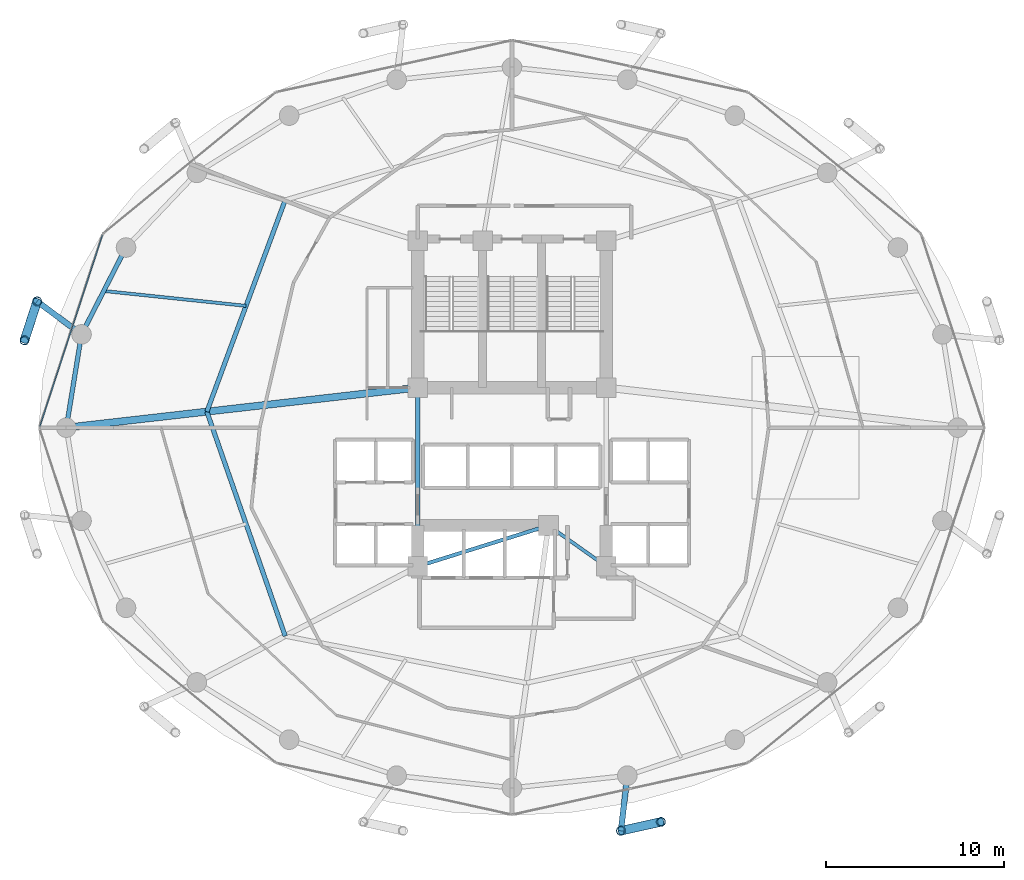
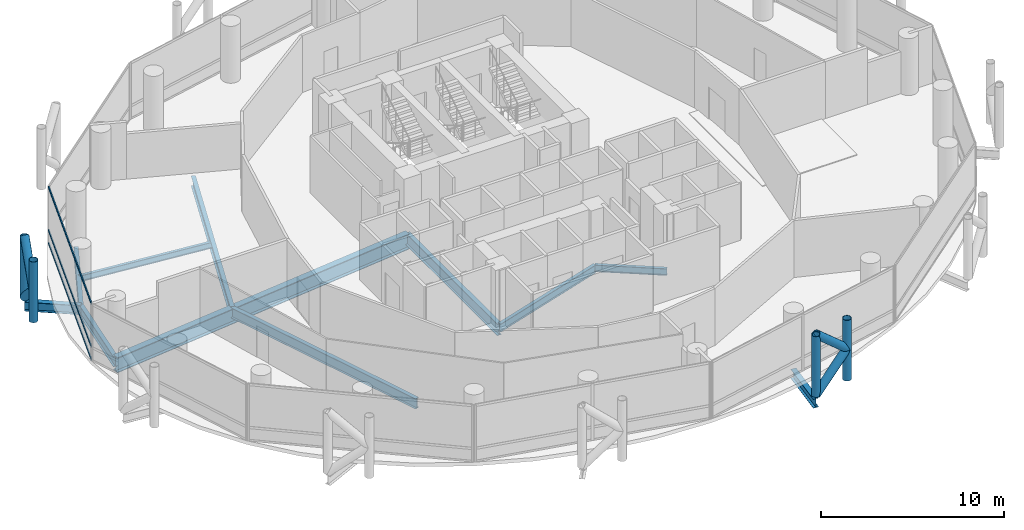
# One storey, part 7 of 24: 11 beams, 11 members, 1 element without a shape of its own.
"""IFC4 building model written with IfcOpenShell, lengths in metres."""

from ifc_helpers import new_model, si_unit, direction, frame, origin, origin_2d, place, context, subcontext, project, spatial, hollow_rectangle, hollow_circle, i_section, extrude, material, layer, layer_set, material_profile, profile_set, type_object, element, aggregate, save


model = new_model("IFC4")

# Units and contexts
model_context = context("Model", 3, precision=1e-05, world=origin(), true_north=direction((0.0, 1.0)))
body_context = subcontext(model_context, "Body", "Model", "MODEL_VIEW")
ifc_project = project(units=[si_unit("LENGTHUNIT", "METRE"), si_unit("AREAUNIT", "SQUARE_METRE"), si_unit("VOLUMEUNIT", "CUBIC_METRE"), si_unit("PLANEANGLEUNIT", "RADIAN"), si_unit("MASSUNIT", "GRAM", prefix="KILO")], contexts=[model_context])

# Site, building, storey
site_placement = place(None, origin())
site = spatial("IfcSite", under=ifc_project, at=site_placement, CompositionType="ELEMENT")
building_placement = place(site_placement, origin())
building = spatial("IfcBuilding", under=site, at=building_placement, Name="Nuhasar Tower", CompositionType="ELEMENT")
storey_placement = place(building_placement, frame((0.0, 0.0, 69.60009765625)))
storey = spatial("IfcBuildingStorey", under=building, at=storey_placement, Name="L16", CompositionType="ELEMENT", Elevation=69.60009765625)

# Beams
ifc_material_1 = material(Name="Steel S355", Category="steel")
ifc_material_profile_1 = material_profile(ifc_material_1, i_section(OverallWidth=0.25390625, OverallDepth=0.68408203125, WebThickness=0.012451171875, FlangeThickness=0.018798828125, at=origin_2d()), Name="W27X94")
ifc_profile_set_1 = profile_set([ifc_material_profile_1], Name="Steel S355")
beam_type_1 = type_object("IfcBeamType", Name="BM-INRING-W27X94", PredefinedType="BEAM", material=ifc_profile_set_1)
beam_1_placement = place(storey_placement, frame((26.251953125, 39.591064453125, -0.592041015625), z_axis=(-0.34715757476, -0.937806812881, 0.0), x_axis=(0.937806812881, -0.34715757476, 0.0)))
element("IfcBeam", 1, at=beam_1_placement, inside=storey, type_object=beam_type_1, Name="L16 Inner Header Beam 07", PredefinedType="BEAM", context=body_context, shape_type="SweptSolid", body=[
    extrude(i_section(OverallWidth=0.25390625, OverallDepth=0.68408203125, WebThickness=0.012451171875, FlangeThickness=0.018798828125, at=origin_2d()), origin(), (0.0, 0.0, 1.0), 12.6796875),
])
beam_2_placement = place(storey_placement, frame((21.85009765625, 27.699951171875, -0.592041015625), z_axis=(0.329554049858, -0.944136710558, 0.0), x_axis=(0.944136710558, 0.329554049858, 0.0)))
element("IfcBeam", 2, at=beam_2_placement, inside=storey, type_object=beam_type_1, Name="L16 Inner Header Beam 08", PredefinedType="BEAM", context=body_context, shape_type="SweptSolid", body=[
    extrude(i_section(OverallWidth=0.25390625, OverallDepth=0.68408203125, WebThickness=0.012451171875, FlangeThickness=0.018798828125, at=origin_2d()), origin(), (0.0, 0.0, 1.0), 13.35693359375),
])
ifc_material_profile_2 = material_profile(ifc_material_1, i_section(OverallWidth=0.177978515625, OverallDepth=0.406005859375, WebThickness=0.0078125, FlangeThickness=0.0126953125, at=origin_2d()), Name="W16X40")
ifc_profile_set_2 = profile_set([ifc_material_profile_2], Name="Steel S355")
beam_type_2 = type_object("IfcBeamType", Name="BM-JST-W16X40", PredefinedType="JOIST", material=ifc_profile_set_2)
beam_3_placement = place(storey_placement, frame((24.051025390625, 33.64501953125, -0.453125), z_axis=(-0.994554594377, 0.104216883485, 0.0), x_axis=(-0.104216883485, -0.994554594377, 0.0)))
element("IfcBeam", 3, at=beam_3_placement, inside=storey, type_object=beam_type_2, Name="L16 Secondary Floor Joist 07", PredefinedType="JOIST", context=body_context, shape_type="SweptSolid", body=[
    extrude(i_section(OverallWidth=0.177978515625, OverallDepth=0.406005859375, WebThickness=0.0078125, FlangeThickness=0.0126953125, at=origin_2d()), origin(), (0.0, 0.0, 1.0), 8.039794921875),
])
ifc_material_profile_3 = material_profile(ifc_material_1, i_section(OverallWidth=0.18994140625, OverallDepth=0.45703125, WebThickness=0.009033203125, FlangeThickness=0.014404296875, at=origin_2d()), Name="W18X50")
ifc_profile_set_3 = profile_set([ifc_material_profile_3], Name="Steel S355")
beam_type_3 = type_object("IfcBeamType", Name="BM-RAD-W18X50", PredefinedType="BEAM", material=ifc_profile_set_3)
beam_4_placement = place(storey_placement, frame((41.050048828125, 21.300048828125, -0.47900390625), z_axis=(0.816265428953, -0.577677028708, 0.0), x_axis=(0.577677028708, 0.816265428953, 0.0)))
element("IfcBeam", 4, at=beam_4_placement, inside=storey, type_object=beam_type_3, Name="L16 Core Ring Girder 2", PredefinedType="BEAM", context=body_context, shape_type="SweptSolid", body=[
    extrude(i_section(OverallWidth=0.18994140625, OverallDepth=0.45703125, WebThickness=0.009033203125, FlangeThickness=0.014404296875, at=origin_2d()), origin(), (0.0, 0.0, 1.0), 3.9814453125),
])
ifc_material_profile_4 = material_profile(ifc_material_1, i_section(OverallWidth=0.208984375, OverallDepth=0.532958984375, WebThickness=0.01025390625, FlangeThickness=0.015625, at=origin_2d()), Name="W21X62")
ifc_profile_set_4 = profile_set([ifc_material_profile_4], Name="Steel S355")
beam_type_4 = type_object("IfcBeamType", Name="BM-RAD-W21X62", PredefinedType="BEAM", material=ifc_profile_set_4)
beam_5_placement = place(storey_placement, frame((33.699951171875, 19.0, -0.51611328125), z_axis=(0.954363709454, 0.298646798205, 0.0), x_axis=(-0.298646798205, 0.954363709454, 0.0)))
element("IfcBeam", 5, at=beam_5_placement, inside=storey, type_object=beam_type_4, Name="L16 Core Ring Girder 1", PredefinedType="BEAM", context=body_context, shape_type="SweptSolid", body=[
    extrude(i_section(OverallWidth=0.208984375, OverallDepth=0.532958984375, WebThickness=0.01025390625, FlangeThickness=0.015625, at=origin_2d()), origin(), (0.0, 0.0, 1.0), 7.70166015625),
])
ifc_material_profile_5 = material_profile(ifc_material_1, i_section(OverallWidth=0.26611328125, OverallDepth=0.779052734375, WebThickness=0.0166015625, FlangeThickness=0.030029296875, at=origin_2d()), Name="W30X148")
ifc_profile_set_5 = profile_set([ifc_material_profile_5], Name="Steel S355")
beam_type_5 = type_object("IfcBeamType", Name="BM-RAD-W30X148", PredefinedType="BEAM", material=ifc_profile_set_5)
beam_6_placement = place(storey_placement, frame((33.699951171875, 29.050048828125, -0.64013671875), z_axis=(0.0, -1.0, 0.0), x_axis=(1.0, 0.0, 0.0)))
element("IfcBeam", 6, at=beam_6_placement, inside=storey, type_object=beam_type_5, Name="L16 Core Ring Girder 8", PredefinedType="BEAM", context=body_context, shape_type="SweptSolid", body=[
    extrude(i_section(OverallWidth=0.26611328125, OverallDepth=0.779052734375, WebThickness=0.0166015625, FlangeThickness=0.030029296875, at=origin_2d()), origin(), (0.0, 0.0, 1.0), 10.050048828125),
])
ifc_material_profile_6 = material_profile(ifc_material_1, i_section(OverallWidth=0.256103515625, OverallDepth=0.693115234375, WebThickness=0.014404296875, FlangeThickness=0.023681640625, at=origin_2d()), Name="W27X114")
ifc_profile_set_6 = profile_set([ifc_material_profile_6], Name="Steel S355")
beam_type_6 = type_object("IfcBeamType", Name="BM-RING-W27X114", PredefinedType="SPANDREL", material=ifc_profile_set_6)
beam_7_placement = place(storey_placement, frame((17.305908203125, 36.925048828125, -0.59716796875), z_axis=(-0.455930023905, -0.890015625314, 0.0), x_axis=(0.890015625314, -0.455930023905, 0.0)))
element("IfcBeam", 7, at=beam_7_placement, inside=storey, type_object=beam_type_6, Name="L16 Perimeter Ring Spandrel 11", PredefinedType="SPANDREL", context=body_context, shape_type="SweptSolid", body=[
    extrude(i_section(OverallWidth=0.256103515625, OverallDepth=0.693115234375, WebThickness=0.014404296875, FlangeThickness=0.023681640625, at=origin_2d()), origin(), (0.0, 0.0, 1.0), 5.487548828125),
])
beam_8_placement = place(storey_placement, frame((14.803955078125, 32.041015625, -0.59716796875), z_axis=(-0.160826635486, -0.986982671235, 0.0), x_axis=(0.986982671235, -0.160826635486, 0.0)))
element("IfcBeam", 8, at=beam_8_placement, inside=storey, type_object=beam_type_6, Name="L16 Perimeter Ring Spandrel 12", PredefinedType="SPANDREL", context=body_context, shape_type="SweptSolid", body=[
    extrude(i_section(OverallWidth=0.256103515625, OverallDepth=0.693115234375, WebThickness=0.014404296875, FlangeThickness=0.023681640625, at=origin_2d()), origin(), (0.0, 0.0, 1.0), 5.31005859375),
])
ifc_material_profile_7 = material_profile(ifc_material_1, i_section(OverallWidth=0.323974609375, OverallDepth=0.611083984375, WebThickness=0.0126953125, FlangeThickness=0.01904296875, at=origin_2d()), Name="W24X104")
ifc_profile_set_7 = profile_set([ifc_material_profile_7], Name="Steel S355")
beam_type_7 = type_object("IfcBeamType", Name="BM-TIE-W24X104", PredefinedType="BEAM", material=ifc_profile_set_7)
beam_9_placement = place(storey_placement, frame((14.803955078125, 32.041015625, -0.55615234375), z_axis=(-0.802151061326, 0.597121155892, 0.0), x_axis=(-0.597121155892, -0.802151061326, 0.0)))
element("IfcBeam", 9, at=beam_9_placement, inside=storey, type_object=beam_type_7, Name="L16 Exoskeleton Node Tie Beam 06", PredefinedType="BEAM", context=body_context, shape_type="SweptSolid", body=[
    extrude(i_section(OverallWidth=0.323974609375, OverallDepth=0.611083984375, WebThickness=0.0126953125, FlangeThickness=0.01904296875, at=origin_2d()), origin(), (0.0, 0.0, 1.0), 3.111328125),
])
beam_10_placement = place(storey_placement, frame((45.48291015625, 7.239990234375, -0.55615234375), z_axis=(-0.115042934281, -0.993360520291, 0.0), x_axis=(0.993360520291, -0.115042934281, 0.0)))
element("IfcBeam", 10, at=beam_10_placement, inside=storey, type_object=beam_type_7, Name="L16 Exoskeleton Node Tie Beam 10", PredefinedType="BEAM", context=body_context, shape_type="SweptSolid", body=[
    extrude(i_section(OverallWidth=0.323974609375, OverallDepth=0.611083984375, WebThickness=0.0126953125, FlangeThickness=0.01904296875, at=origin_2d()), origin(), (0.0, 0.0, 1.0), 3.11962890625),
])
ifc_material_2 = material(Name="Steel S460", Category="steel")
ifc_material_profile_8 = material_profile(ifc_material_2, i_section(OverallWidth=0.40087890625, OverallDepth=1.010009765625, WebThickness=0.023681640625, FlangeThickness=0.0419921875, at=origin_2d()), Name="W40X297")
ifc_profile_set_8 = profile_set([ifc_material_profile_8], Name="Steel S460")
beam_type_8 = type_object("IfcBeamType", Name="BM-XFER-W40X297", PredefinedType="USERDEFINED", material=ifc_profile_set_8)
beam_11_placement = place(storey_placement, frame((33.699951171875, 29.050048828125, -0.755126953125), z_axis=(-0.993573147212, -0.113191877531, 0.0), x_axis=(0.113191877531, -0.993573147212, 0.0)))
element("IfcBeam", 11, at=beam_11_placement, inside=storey, type_object=beam_type_8, Name="L16 Radial Floor Girder 08", ObjectType="GIRDER", PredefinedType="USERDEFINED", context=body_context, shape_type="SweptSolid", body=[
    extrude(i_section(OverallWidth=0.40087890625, OverallDepth=1.010009765625, WebThickness=0.023681640625, FlangeThickness=0.0419921875, at=origin_2d()), origin(), (0.0, 0.0, 1.0), 19.877685546875),
])

# Curtain wall, members
ifc_material_3 = material(Name="Aluminium 6063-T6", Category="aluminium")
ifc_layer = layer(ifc_material_3, 0.199951171875)
ifc_layer_set = layer_set([ifc_layer], Name="Aluminium 6063-T6")
curtain_wall_type = type_object("IfcCurtainWallType", Name="CW-Z1-OFF", PredefinedType="NOTDEFINED", material=ifc_layer_set)
curtain_wall_placement = place(storey_placement, origin())
curtain_wall = element("IfcCurtainWall", 12, at=curtain_wall_placement, inside=storey, type_object=curtain_wall_type, Name="L16 Unitised Curtain Wall 06", PredefinedType="NOTDEFINED")
ifc_material_profile_9 = material_profile(ifc_material_3, hollow_rectangle(XDim=0.06494140625, YDim=0.14990234375, WallThickness=0.00439453125, at=origin_2d()), Name="CWT-2")
ifc_profile_set_9 = profile_set([ifc_material_profile_9], Name="Aluminium 6063-T6")
member_type_1 = type_object("IfcMemberType", Name="CW-TRN-S2", PredefinedType="USERDEFINED", material=ifc_profile_set_9)
member_1_placement = place(storey_placement, frame((15.977783203125, 37.6181640625, 0.032470703125), z_axis=(-0.31082506089, -0.950467138581, 0.0), x_axis=(0.950467138581, -0.31082506089, 0.0)))
member_1 = element("IfcMember", 13, at=member_1_placement, type_object=member_type_1, Name="CW-Z1 transom 1.1", ObjectType="TRANSOM", PredefinedType="USERDEFINED", context=body_context, shape_type="SweptSolid", body=[
    extrude(hollow_rectangle(XDim=0.06494140625, YDim=0.14990234375, WallThickness=0.00439453125, at=origin_2d()), origin(), (0.0, 0.0, 1.0), 11.31689453125),
])
member_2_placement = place(storey_placement, frame((15.977783203125, 37.6181640625, 0.89990234375), z_axis=(-0.31082506089, -0.950467138581, 0.0), x_axis=(0.950467138581, -0.31082506089, 0.0)))
member_2 = element("IfcMember", 14, at=member_2_placement, type_object=member_type_1, Name="CW-Z1 transom 1.2", ObjectType="TRANSOM", PredefinedType="USERDEFINED", context=body_context, shape_type="SweptSolid", body=[
    extrude(hollow_rectangle(XDim=0.06494140625, YDim=0.14990234375, WallThickness=0.00439453125, at=origin_2d()), origin(), (0.0, 0.0, 1.0), 11.31689453125),
])
member_3_placement = place(storey_placement, frame((15.977783203125, 37.6181640625, 3.767333984375), z_axis=(-0.31082506089, -0.950467138581, 0.0), x_axis=(0.950467138581, -0.31082506089, 0.0)))
member_3 = element("IfcMember", 15, at=member_3_placement, type_object=member_type_1, Name="CW-Z1 transom 1.3", ObjectType="TRANSOM", PredefinedType="USERDEFINED", context=body_context, shape_type="SweptSolid", body=[
    extrude(hollow_rectangle(XDim=0.06494140625, YDim=0.14990234375, WallThickness=0.00439453125, at=origin_2d()), origin(), (0.0, 0.0, 1.0), 11.31689453125),
])
aggregate(curtain_wall, [member_1, member_2, member_3])

# Members
ifc_material_profile_10 = material_profile(ifc_material_2, hollow_circle(Radius=0.25390625, WallThickness=0.025390625, at=origin_2d()), Name="HSS508X25.4")
ifc_profile_set_10 = profile_set([ifc_material_profile_10], Name="Steel S460")
member_type_2 = type_object("IfcMemberType", Name="EXO-BRONZE-508", PredefinedType="BRACE", material=ifc_profile_set_10)
for number, where, z_axis, x_axis, name in (
    (16, (12.30810546875, 33.89892578125, 0.0), (0.0, 0.0, 1.0), (1.0, 0.0, 0.0), "L16 Exoskeleton Chord Column EC-06A"),
    (17, (11.60009765625, 31.7099609375, 0.0), (0.0, 0.0, 1.0), (1.0, 0.0, 0.0), "L16 Exoskeleton Chord Column EC-06B"),
    (18, (45.1240234375, 4.14111328125, 0.0), (0.0, 0.0, 1.0), (1.0, 0.0, 0.0), "L16 Exoskeleton Chord Column EC-10A"),
    (19, (47.3701171875, 4.639892578125, 0.0), (0.0, 0.0, 1.0), (1.0, 0.0, 0.0), "L16 Exoskeleton Chord Column EC-10B"),
):
    element("IfcMember", number, at=place(storey_placement, frame(where, z_axis=z_axis, x_axis=x_axis)), inside=storey, type_object=member_type_2, Name=name, PredefinedType="BRACE", context=body_context, shape_type="SweptSolid", body=[
        extrude(hollow_circle(Radius=0.25390625, WallThickness=0.025390625, at=origin_2d()), origin(), (0.0, 0.0, 1.0), 4.0498046875),
    ])
for number, where, z_axis, x_axis, name in (
    (20, (12.30810546875, 33.89892578125, 0.0), (-0.231011836313, -0.714224870475, 0.660693851854), (0.951468282519, -0.307746823478, 0.0), "L16 Bronze Diagrid Brace W1-06"),
    (21, (11.60009765625, 31.7099609375, 2.02490234375), (0.231011836313, 0.714224870475, 0.660693851854), (-0.951468282519, 0.307746823478, 0.0), "L16 Bronze Diagrid Brace W2-06"),
):
    element("IfcMember", number, at=place(storey_placement, frame(where, z_axis=z_axis, x_axis=x_axis)), inside=storey, type_object=member_type_2, Name=name, PredefinedType="BRACE", context=body_context, shape_type="SweptSolid", body=[
        extrude(hollow_circle(Radius=0.25390625, WallThickness=0.025390625, at=origin_2d()), origin(), (0.0, 0.0, 1.0), 3.064697265625),
    ])
for number, where, z_axis, x_axis, name in (
    (22, (45.1240234375, 4.14111328125, 0.0), (0.732830973624, 0.162736269469, 0.66066305383), (-0.216784396973, 0.976219506683, 0.0), "L16 Bronze Diagrid Brace W1-10"),
    (23, (47.3701171875, 4.639892578125, 2.02490234375), (-0.732830973624, -0.162736269469, 0.66066305383), (0.216784396973, -0.976219506683, 0.0), "L16 Bronze Diagrid Brace W2-10"),
):
    element("IfcMember", number, at=place(storey_placement, frame(where, z_axis=z_axis, x_axis=x_axis)), inside=storey, type_object=member_type_2, Name=name, PredefinedType="BRACE", context=body_context, shape_type="SweptSolid", body=[
        extrude(hollow_circle(Radius=0.25390625, WallThickness=0.025390625, at=origin_2d()), origin(), (0.0, 0.0, 1.0), 3.06494140625),
    ])

save(model, "model.ifc")
